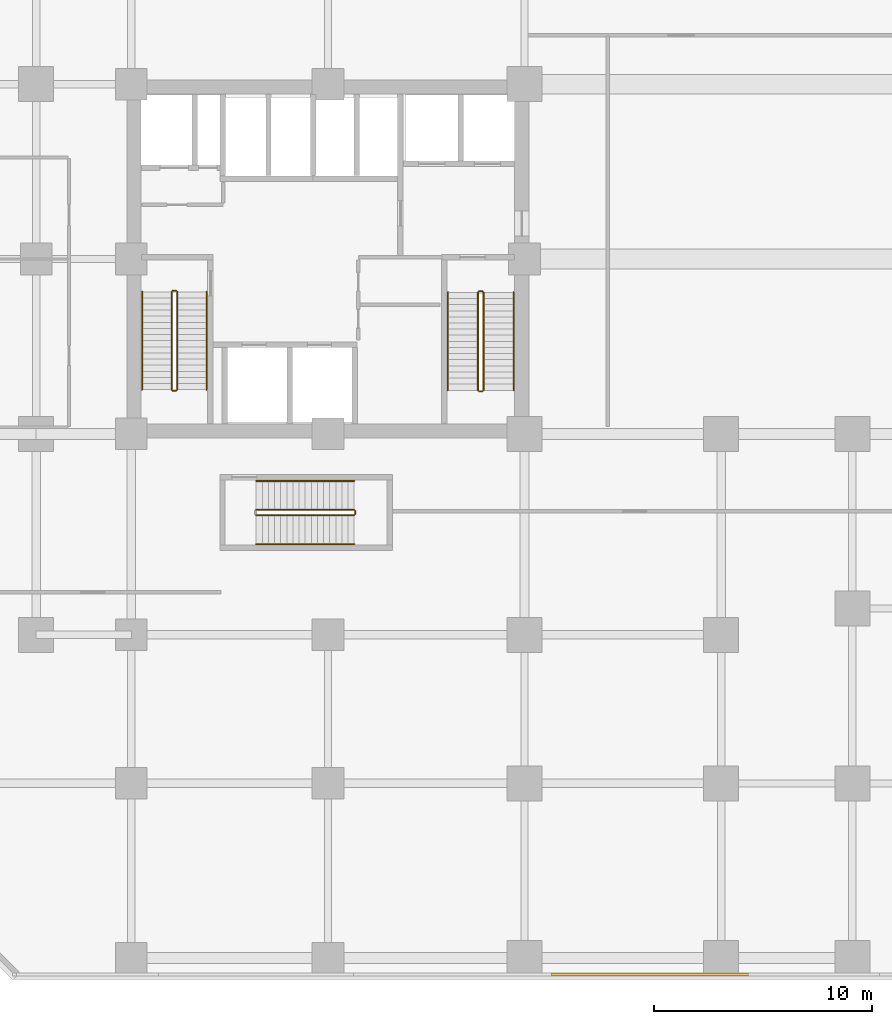
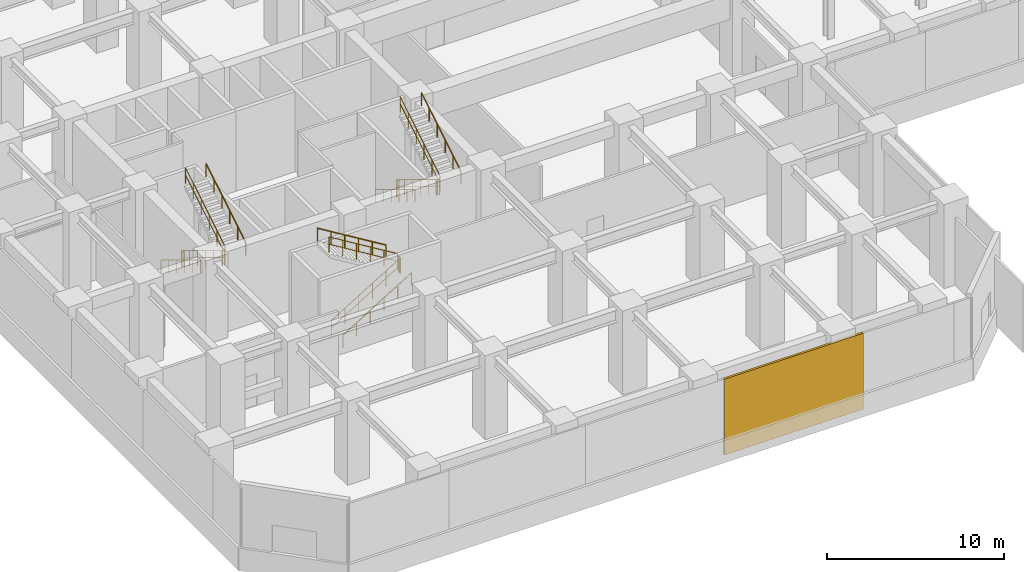
# One storey, part 9 of 12: 17 railings, 1 covering.
"""IFC4 building model written with IfcOpenShell, lengths in metres."""

from ifc_helpers import new_model, si_unit, direction, frame, origin, origin_2d, place, context, subcontext, project, spatial, rectangle, circle, extrude, source, transform, mapped, material, layer, layer_set, type_object, element, save


model = new_model("IFC4")

# Units and contexts
model_context = context("Model", 3, precision=1e-05, world=origin(), true_north=direction((0.0, 1.0)))
body_context = subcontext(model_context, "Body", "Model", "MODEL_VIEW")
ifc_project = project(units=[si_unit("LENGTHUNIT", "METRE"), si_unit("AREAUNIT", "SQUARE_METRE"), si_unit("VOLUMEUNIT", "CUBIC_METRE"), si_unit("PLANEANGLEUNIT", "RADIAN"), si_unit("MASSUNIT", "GRAM", prefix="KILO")], contexts=[model_context])

# Site, building, storey
site_placement = place(None, origin())
site = spatial("IfcSite", under=ifc_project, at=site_placement, CompositionType="ELEMENT")
building_placement = place(site_placement, origin())
building = spatial("IfcBuilding", under=site, at=building_placement, Name="Torre Montelarca", CompositionType="ELEMENT")
storey_placement = place(building_placement, frame((0.0, 0.0, 22.199951171875)))
storey = spatial("IfcBuildingStorey", under=building, at=storey_placement, Name="L05", CompositionType="ELEMENT", Elevation=22.199951171875)

# Railings
ifc_material_1 = material(Name="Powder-coated steel ASTM A500 Grade C", Category="steel")
railing_type_1 = type_object("IfcRailingType", Name="RL-GUARD-1100", PredefinedType="BALUSTRADE", material=ifc_material_1)
railing_1_placement = place(storey_placement, frame((10.85009765625, 30.5, 0.170654296875)))
element("IfcRailing", 1, at=railing_1_placement, inside=storey, type_object=railing_type_1, Name="L05 ST1 stair guard 1", PredefinedType="BALUSTRADE", context=body_context, shape_type="SweptSolid", body=[
    extrude(circle(Radius=0.02392578125, at=origin_2d()), frame((0.0, 0.0, 1.076171875), z_axis=(0.0, -0.853982799912, 0.520301237222), x_axis=(1.0, 0.0, 0.0)), (0.0, 0.0, 1.0), 5.24609375),
    extrude(circle(Radius=0.02099609375, at=origin_2d()), frame((0.0, 0.0, 0.572021484375), z_axis=(0.0, -0.853982799912, 0.520301237222), x_axis=(1.0, 0.0, 0.0)), (0.0, 0.0, 1.0), 5.24609375),
    extrude(circle(Radius=0.02099609375, at=origin_2d()), origin(), (0.0, 0.0, 1.0), 1.052001953125),
    extrude(circle(Radius=0.02099609375, at=origin_2d()), frame((0.0, -0.89599609375, 0.5458984375)), (0.0, 0.0, 1.0), 1.052001953125),
    extrude(circle(Radius=0.02099609375, at=origin_2d()), frame((0.0, -1.7919921875, 1.091796875)), (0.0, 0.0, 1.0), 1.052001953125),
    extrude(circle(Radius=0.02099609375, at=origin_2d()), frame((0.0, -2.68798828125, 1.6376953125)), (0.0, 0.0, 1.0), 1.052001953125),
    extrude(circle(Radius=0.02099609375, at=origin_2d()), frame((0.0, -3.583984375, 2.18359375)), (0.0, 0.0, 1.0), 1.052001953125),
    extrude(circle(Radius=0.02099609375, at=origin_2d()), frame((0.0, -4.47998046875, 2.7294921875)), (0.0, 0.0, 1.0), 1.052001953125),
])
railing_2_placement = place(storey_placement, frame((10.89990234375, 25.969970703125, 2.900146484375)))
element("IfcRailing", 2, at=railing_2_placement, inside=storey, type_object=railing_type_1, Name="L05 ST1 stair guard 2", PredefinedType="BALUSTRADE", context=body_context, shape_type="SweptSolid", body=[
    extrude(circle(Radius=0.02392578125, at=origin_2d()), frame((0.0, 0.0, 1.076171875), z_axis=(1.0, 0.0, 0.0), x_axis=(0.0, 1.0, 0.0)), (0.0, 0.0, 1.0), 0.150146484375),
    extrude(circle(Radius=0.02099609375, at=origin_2d()), frame((0.0, 0.0, 0.572021484375), z_axis=(1.0, 0.0, 0.0), x_axis=(0.0, 1.0, 0.0)), (0.0, 0.0, 1.0), 0.150146484375),
    extrude(circle(Radius=0.02099609375, at=origin_2d()), origin(), (0.0, 0.0, 1.0), 1.052001953125),
    extrude(circle(Radius=0.02099609375, at=origin_2d()), frame((0.150146484375, 0.0, 0.0)), (0.0, 0.0, 1.0), 1.052001953125),
])
railing_3_placement = place(storey_placement, frame((11.10009765625, 26.02001953125, 3.070556640625)))
element("IfcRailing", 3, at=railing_3_placement, inside=storey, type_object=railing_type_1, Name="L05 ST1 stair guard 3", PredefinedType="BALUSTRADE", context=body_context, shape_type="SweptSolid", body=[
    extrude(circle(Radius=0.02392578125, at=origin_2d()), frame((0.0, 0.0, 1.076171875), z_axis=(0.0, 0.853982799912, 0.520301237222), x_axis=(-1.0, 0.0, 0.0)), (0.0, 0.0, 1.0), 5.24609375),
    extrude(circle(Radius=0.02099609375, at=origin_2d()), frame((0.0, 0.0, 0.572021484375), z_axis=(0.0, 0.853982799912, 0.520301237222), x_axis=(-1.0, 0.0, 0.0)), (0.0, 0.0, 1.0), 5.24609375),
    extrude(circle(Radius=0.02099609375, at=origin_2d()), origin(), (0.0, 0.0, 1.0), 1.052001953125),
    extrude(circle(Radius=0.02099609375, at=origin_2d()), frame((0.0, 0.89599609375, 0.5458984375)), (0.0, 0.0, 1.0), 1.052001953125),
    extrude(circle(Radius=0.02099609375, at=origin_2d()), frame((0.0, 1.7919921875, 1.091796875)), (0.0, 0.0, 1.0), 1.052001953125),
    extrude(circle(Radius=0.02099609375, at=origin_2d()), frame((0.0, 2.68798828125, 1.6376953125)), (0.0, 0.0, 1.0), 1.052001953125),
    extrude(circle(Radius=0.02099609375, at=origin_2d()), frame((0.0, 3.583984375, 2.18359375)), (0.0, 0.0, 1.0), 1.052001953125),
    extrude(circle(Radius=0.02099609375, at=origin_2d()), frame((0.0, 4.47998046875, 2.7294921875)), (0.0, 0.0, 1.0), 1.052001953125),
])
railing_4_placement = place(storey_placement, frame((10.89990234375, 30.550048828125, 0.0)))
element("IfcRailing", 4, at=railing_4_placement, inside=storey, type_object=railing_type_1, Name="L05 ST1 stair guard 4", PredefinedType="BALUSTRADE", context=body_context, shape_type="SweptSolid", body=[
    extrude(circle(Radius=0.02392578125, at=origin_2d()), frame((0.0, 0.0, 1.076171875), z_axis=(1.0, 0.0, 0.0), x_axis=(0.0, 1.0, 0.0)), (0.0, 0.0, 1.0), 0.150146484375),
    extrude(circle(Radius=0.02099609375, at=origin_2d()), frame((0.0, 0.0, 0.572021484375), z_axis=(1.0, 0.0, 0.0), x_axis=(0.0, 1.0, 0.0)), (0.0, 0.0, 1.0), 0.150146484375),
    extrude(circle(Radius=0.02099609375, at=origin_2d()), origin(), (0.0, 0.0, 1.0), 1.052001953125),
    extrude(circle(Radius=0.02099609375, at=origin_2d()), frame((0.150146484375, 0.0, 0.0)), (0.0, 0.0, 1.0), 1.052001953125),
])
railing_5_placement = place(storey_placement, frame((24.8701171875, 30.469970703125, 0.170654296875)))
element("IfcRailing", 5, at=railing_5_placement, inside=storey, type_object=railing_type_1, Name="L05 ST2 stair guard 1", PredefinedType="BALUSTRADE", context=body_context, shape_type="SweptSolid", body=[
    extrude(circle(Radius=0.02392578125, at=origin_2d()), frame((0.0, 0.0, 1.076171875), z_axis=(0.0, -0.853982799912, 0.520301237222), x_axis=(1.0, 0.0, 0.0)), (0.0, 0.0, 1.0), 5.24609375),
    extrude(circle(Radius=0.02099609375, at=origin_2d()), frame((0.0, 0.0, 0.572021484375), z_axis=(0.0, -0.853982799912, 0.520301237222), x_axis=(1.0, 0.0, 0.0)), (0.0, 0.0, 1.0), 5.24609375),
    extrude(circle(Radius=0.02099609375, at=origin_2d()), origin(), (0.0, 0.0, 1.0), 1.052001953125),
    extrude(circle(Radius=0.02099609375, at=origin_2d()), frame((0.0, -0.89599609375, 0.5458984375)), (0.0, 0.0, 1.0), 1.052001953125),
    extrude(circle(Radius=0.02099609375, at=origin_2d()), frame((0.0, -1.7919921875, 1.091796875)), (0.0, 0.0, 1.0), 1.052001953125),
    extrude(circle(Radius=0.02099609375, at=origin_2d()), frame((0.0, -2.68798828125, 1.6376953125)), (0.0, 0.0, 1.0), 1.052001953125),
    extrude(circle(Radius=0.02099609375, at=origin_2d()), frame((0.0, -3.583984375, 2.18359375)), (0.0, 0.0, 1.0), 1.052001953125),
    extrude(circle(Radius=0.02099609375, at=origin_2d()), frame((0.0, -4.47998046875, 2.7294921875)), (0.0, 0.0, 1.0), 1.052001953125),
])
railing_6_placement = place(storey_placement, frame((24.919921875, 25.93994140625, 2.900146484375)))
element("IfcRailing", 6, at=railing_6_placement, inside=storey, type_object=railing_type_1, Name="L05 ST2 stair guard 2", PredefinedType="BALUSTRADE", context=body_context, shape_type="SweptSolid", body=[
    extrude(circle(Radius=0.02392578125, at=origin_2d()), frame((0.0, 0.0, 1.076171875), z_axis=(1.0, 0.0, 0.0), x_axis=(0.0, 1.0, 0.0)), (0.0, 0.0, 1.0), 0.150146484375),
    extrude(circle(Radius=0.02099609375, at=origin_2d()), frame((0.0, 0.0, 0.572021484375), z_axis=(1.0, 0.0, 0.0), x_axis=(0.0, 1.0, 0.0)), (0.0, 0.0, 1.0), 0.150146484375),
    extrude(circle(Radius=0.02099609375, at=origin_2d()), origin(), (0.0, 0.0, 1.0), 1.052001953125),
    extrude(circle(Radius=0.02099609375, at=origin_2d()), frame((0.150146484375, 0.0, 0.0)), (0.0, 0.0, 1.0), 1.052001953125),
])
railing_7_placement = place(storey_placement, frame((25.1201171875, 25.989990234375, 3.070556640625)))
element("IfcRailing", 7, at=railing_7_placement, inside=storey, type_object=railing_type_1, Name="L05 ST2 stair guard 3", PredefinedType="BALUSTRADE", context=body_context, shape_type="SweptSolid", body=[
    extrude(circle(Radius=0.02392578125, at=origin_2d()), frame((0.0, 0.0, 1.076171875), z_axis=(0.0, 0.853982799912, 0.520301237222), x_axis=(-1.0, 0.0, 0.0)), (0.0, 0.0, 1.0), 5.24609375),
    extrude(circle(Radius=0.02099609375, at=origin_2d()), frame((0.0, 0.0, 0.572021484375), z_axis=(0.0, 0.853982799912, 0.520301237222), x_axis=(-1.0, 0.0, 0.0)), (0.0, 0.0, 1.0), 5.24609375),
    extrude(circle(Radius=0.02099609375, at=origin_2d()), origin(), (0.0, 0.0, 1.0), 1.052001953125),
    extrude(circle(Radius=0.02099609375, at=origin_2d()), frame((0.0, 0.89599609375, 0.5458984375)), (0.0, 0.0, 1.0), 1.052001953125),
    extrude(circle(Radius=0.02099609375, at=origin_2d()), frame((0.0, 1.7919921875, 1.091796875)), (0.0, 0.0, 1.0), 1.052001953125),
    extrude(circle(Radius=0.02099609375, at=origin_2d()), frame((0.0, 2.68798828125, 1.6376953125)), (0.0, 0.0, 1.0), 1.052001953125),
    extrude(circle(Radius=0.02099609375, at=origin_2d()), frame((0.0, 3.583984375, 2.18359375)), (0.0, 0.0, 1.0), 1.052001953125),
    extrude(circle(Radius=0.02099609375, at=origin_2d()), frame((0.0, 4.47998046875, 2.7294921875)), (0.0, 0.0, 1.0), 1.052001953125),
])
railing_8_placement = place(storey_placement, frame((24.919921875, 30.52001953125, 0.0)))
element("IfcRailing", 8, at=railing_8_placement, inside=storey, type_object=railing_type_1, Name="L05 ST2 stair guard 4", PredefinedType="BALUSTRADE", context=body_context, shape_type="SweptSolid", body=[
    extrude(circle(Radius=0.02392578125, at=origin_2d()), frame((0.0, 0.0, 1.076171875), z_axis=(1.0, 0.0, 0.0), x_axis=(0.0, 1.0, 0.0)), (0.0, 0.0, 1.0), 0.150146484375),
    extrude(circle(Radius=0.02099609375, at=origin_2d()), frame((0.0, 0.0, 0.572021484375), z_axis=(1.0, 0.0, 0.0), x_axis=(0.0, 1.0, 0.0)), (0.0, 0.0, 1.0), 0.150146484375),
    extrude(circle(Radius=0.02099609375, at=origin_2d()), origin(), (0.0, 0.0, 1.0), 1.052001953125),
    extrude(circle(Radius=0.02099609375, at=origin_2d()), frame((0.150146484375, 0.0, 0.0)), (0.0, 0.0, 1.0), 1.052001953125),
])
railing_9_placement = place(storey_placement, frame((14.719970703125, 20.27001953125, 0.170654296875)))
element("IfcRailing", 9, at=railing_9_placement, inside=storey, type_object=railing_type_1, Name="L05 ST3 stair guard 1", PredefinedType="BALUSTRADE", context=body_context, shape_type="SweptSolid", body=[
    extrude(circle(Radius=0.02392578125, at=origin_2d()), frame((0.0, 0.0, 1.076171875), z_axis=(0.853982799912, 0.0, 0.520301237222), x_axis=(0.0, 1.0, 0.0)), (0.0, 0.0, 1.0), 5.24609375),
    extrude(circle(Radius=0.02099609375, at=origin_2d()), frame((0.0, 0.0, 0.572021484375), z_axis=(0.853982799912, 0.0, 0.520301237222), x_axis=(0.0, 1.0, 0.0)), (0.0, 0.0, 1.0), 5.24609375),
    extrude(circle(Radius=0.02099609375, at=origin_2d()), origin(), (0.0, 0.0, 1.0), 1.052001953125),
    extrude(circle(Radius=0.02099609375, at=origin_2d()), frame((0.89599609375, 0.0, 0.5458984375)), (0.0, 0.0, 1.0), 1.052001953125),
    extrude(circle(Radius=0.02099609375, at=origin_2d()), frame((1.7919921875, 0.0, 1.091796875)), (0.0, 0.0, 1.0), 1.052001953125),
    extrude(circle(Radius=0.02099609375, at=origin_2d()), frame((2.68798828125, 0.0, 1.6376953125)), (0.0, 0.0, 1.0), 1.052001953125),
    extrude(circle(Radius=0.02099609375, at=origin_2d()), frame((3.583984375, 0.0, 2.18359375)), (0.0, 0.0, 1.0), 1.052001953125),
    extrude(circle(Radius=0.02099609375, at=origin_2d()), frame((4.47998046875, 0.0, 2.7294921875)), (0.0, 0.0, 1.0), 1.052001953125),
])
railing_10_placement = place(storey_placement, frame((19.25, 20.320068359375, 2.900146484375)))
element("IfcRailing", 10, at=railing_10_placement, inside=storey, type_object=railing_type_1, Name="L05 ST3 stair guard 2", PredefinedType="BALUSTRADE", context=body_context, shape_type="SweptSolid", body=[
    extrude(circle(Radius=0.02392578125, at=origin_2d()), frame((0.0, 0.0, 1.076171875), z_axis=(0.0, 1.0, 0.0), x_axis=(-1.0, 0.0, 0.0)), (0.0, 0.0, 1.0), 0.14990234375),
    extrude(circle(Radius=0.02099609375, at=origin_2d()), frame((0.0, 0.0, 0.572021484375), z_axis=(0.0, 1.0, 0.0), x_axis=(-1.0, 0.0, 0.0)), (0.0, 0.0, 1.0), 0.14990234375),
    extrude(circle(Radius=0.02099609375, at=origin_2d()), origin(), (0.0, 0.0, 1.0), 1.052001953125),
    extrude(circle(Radius=0.02099609375, at=origin_2d()), frame((0.0, 0.14990234375, 0.0)), (0.0, 0.0, 1.0), 1.052001953125),
])
railing_11_placement = place(storey_placement, frame((19.199951171875, 20.52001953125, 3.070556640625)))
element("IfcRailing", 11, at=railing_11_placement, inside=storey, type_object=railing_type_1, Name="L05 ST3 stair guard 3", PredefinedType="BALUSTRADE", context=body_context, shape_type="SweptSolid", body=[
    extrude(circle(Radius=0.02392578125, at=origin_2d()), frame((0.0, 0.0, 1.076171875), z_axis=(-0.853982799912, 0.0, 0.520301237222), x_axis=(0.0, -1.0, 0.0)), (0.0, 0.0, 1.0), 5.24609375),
    extrude(circle(Radius=0.02099609375, at=origin_2d()), frame((0.0, 0.0, 0.572021484375), z_axis=(-0.853982799912, 0.0, 0.520301237222), x_axis=(0.0, -1.0, 0.0)), (0.0, 0.0, 1.0), 5.24609375),
    extrude(circle(Radius=0.02099609375, at=origin_2d()), origin(), (0.0, 0.0, 1.0), 1.052001953125),
    extrude(circle(Radius=0.02099609375, at=origin_2d()), frame((-0.89599609375, 0.0, 0.5458984375)), (0.0, 0.0, 1.0), 1.052001953125),
    extrude(circle(Radius=0.02099609375, at=origin_2d()), frame((-1.7919921875, 0.0, 1.091796875)), (0.0, 0.0, 1.0), 1.052001953125),
    extrude(circle(Radius=0.02099609375, at=origin_2d()), frame((-2.68798828125, 0.0, 1.6376953125)), (0.0, 0.0, 1.0), 1.052001953125),
    extrude(circle(Radius=0.02099609375, at=origin_2d()), frame((-3.583984375, 0.0, 2.18359375)), (0.0, 0.0, 1.0), 1.052001953125),
    extrude(circle(Radius=0.02099609375, at=origin_2d()), frame((-4.47998046875, 0.0, 2.7294921875)), (0.0, 0.0, 1.0), 1.052001953125),
])
ifc_material_2 = material(Name="Brushed stainless steel AISI 316", Category="steel")
railing_type_2 = type_object("IfcRailingType", Name="RL-HANDRAIL-900", PredefinedType="HANDRAIL", material=ifc_material_2)
railing_12_placement = place(storey_placement, frame((9.5, 30.5, 0.170654296875)))
element("IfcRailing", 12, at=railing_12_placement, inside=storey, type_object=railing_type_2, Name="L05 ST1 stair handrail 1", PredefinedType="HANDRAIL", context=body_context, shape_type="SweptSolid", body=[
    extrude(circle(Radius=0.02392578125, at=origin_2d()), frame((0.0, 0.0, 0.8759765625), z_axis=(0.0, -0.853982799912, 0.520301237222), x_axis=(1.0, 0.0, 0.0)), (0.0, 0.0, 1.0), 5.24609375),
    extrude(circle(Radius=0.02099609375, at=origin_2d()), origin(), (0.0, 0.0, 1.0), 0.851806640625),
    extrude(circle(Radius=0.02099609375, at=origin_2d()), frame((0.0, -0.89599609375, 0.5458984375)), (0.0, 0.0, 1.0), 0.851806640625),
    extrude(circle(Radius=0.02099609375, at=origin_2d()), frame((0.0, -1.7919921875, 1.091796875)), (0.0, 0.0, 1.0), 0.851806640625),
    extrude(circle(Radius=0.02099609375, at=origin_2d()), frame((0.0, -2.68798828125, 1.6376953125)), (0.0, 0.0, 1.0), 0.851806640625),
    extrude(circle(Radius=0.02099609375, at=origin_2d()), frame((0.0, -3.583984375, 2.18359375)), (0.0, 0.0, 1.0), 0.851806640625),
    extrude(circle(Radius=0.02099609375, at=origin_2d()), frame((0.0, -4.47998046875, 2.7294921875)), (0.0, 0.0, 1.0), 0.851806640625),
])
railing_13_placement = place(storey_placement, frame((12.449951171875, 26.02001953125, 3.070556640625)))
element("IfcRailing", 13, at=railing_13_placement, inside=storey, type_object=railing_type_2, Name="L05 ST1 stair handrail 2", PredefinedType="HANDRAIL", context=body_context, shape_type="SweptSolid", body=[
    extrude(circle(Radius=0.02392578125, at=origin_2d()), frame((0.0, 0.0, 0.8759765625), z_axis=(0.0, 0.853982799912, 0.520301237222), x_axis=(-1.0, 0.0, 0.0)), (0.0, 0.0, 1.0), 5.24609375),
    extrude(circle(Radius=0.02099609375, at=origin_2d()), origin(), (0.0, 0.0, 1.0), 0.851806640625),
    extrude(circle(Radius=0.02099609375, at=origin_2d()), frame((0.0, 0.89599609375, 0.5458984375)), (0.0, 0.0, 1.0), 0.851806640625),
    extrude(circle(Radius=0.02099609375, at=origin_2d()), frame((0.0, 1.7919921875, 1.091796875)), (0.0, 0.0, 1.0), 0.851806640625),
    extrude(circle(Radius=0.02099609375, at=origin_2d()), frame((0.0, 2.68798828125, 1.6376953125)), (0.0, 0.0, 1.0), 0.851806640625),
    extrude(circle(Radius=0.02099609375, at=origin_2d()), frame((0.0, 3.583984375, 2.18359375)), (0.0, 0.0, 1.0), 0.851806640625),
    extrude(circle(Radius=0.02099609375, at=origin_2d()), frame((0.0, 4.47998046875, 2.7294921875)), (0.0, 0.0, 1.0), 0.851806640625),
])
railing_14_placement = place(storey_placement, frame((23.489990234375, 30.469970703125, 0.170654296875)))
element("IfcRailing", 14, at=railing_14_placement, inside=storey, type_object=railing_type_2, Name="L05 ST2 stair handrail 1", PredefinedType="HANDRAIL", context=body_context, shape_type="SweptSolid", body=[
    extrude(circle(Radius=0.02392578125, at=origin_2d()), frame((0.0, 0.0, 0.8759765625), z_axis=(0.0, -0.853982799912, 0.520301237222), x_axis=(1.0, 0.0, 0.0)), (0.0, 0.0, 1.0), 5.24609375),
    extrude(circle(Radius=0.02099609375, at=origin_2d()), origin(), (0.0, 0.0, 1.0), 0.851806640625),
    extrude(circle(Radius=0.02099609375, at=origin_2d()), frame((0.0, -0.89599609375, 0.5458984375)), (0.0, 0.0, 1.0), 0.851806640625),
    extrude(circle(Radius=0.02099609375, at=origin_2d()), frame((0.0, -1.7919921875, 1.091796875)), (0.0, 0.0, 1.0), 0.851806640625),
    extrude(circle(Radius=0.02099609375, at=origin_2d()), frame((0.0, -2.68798828125, 1.6376953125)), (0.0, 0.0, 1.0), 0.851806640625),
    extrude(circle(Radius=0.02099609375, at=origin_2d()), frame((0.0, -3.583984375, 2.18359375)), (0.0, 0.0, 1.0), 0.851806640625),
    extrude(circle(Radius=0.02099609375, at=origin_2d()), frame((0.0, -4.47998046875, 2.7294921875)), (0.0, 0.0, 1.0), 0.851806640625),
])
railing_15_placement = place(storey_placement, frame((26.5, 25.989990234375, 3.070556640625)))
element("IfcRailing", 15, at=railing_15_placement, inside=storey, type_object=railing_type_2, Name="L05 ST2 stair handrail 2", PredefinedType="HANDRAIL", context=body_context, shape_type="SweptSolid", body=[
    extrude(circle(Radius=0.02392578125, at=origin_2d()), frame((0.0, 0.0, 0.8759765625), z_axis=(0.0, 0.853982799912, 0.520301237222), x_axis=(-1.0, 0.0, 0.0)), (0.0, 0.0, 1.0), 5.24609375),
    extrude(circle(Radius=0.02099609375, at=origin_2d()), origin(), (0.0, 0.0, 1.0), 0.851806640625),
    extrude(circle(Radius=0.02099609375, at=origin_2d()), frame((0.0, 0.89599609375, 0.5458984375)), (0.0, 0.0, 1.0), 0.851806640625),
    extrude(circle(Radius=0.02099609375, at=origin_2d()), frame((0.0, 1.7919921875, 1.091796875)), (0.0, 0.0, 1.0), 0.851806640625),
    extrude(circle(Radius=0.02099609375, at=origin_2d()), frame((0.0, 2.68798828125, 1.6376953125)), (0.0, 0.0, 1.0), 0.851806640625),
    extrude(circle(Radius=0.02099609375, at=origin_2d()), frame((0.0, 3.583984375, 2.18359375)), (0.0, 0.0, 1.0), 0.851806640625),
    extrude(circle(Radius=0.02099609375, at=origin_2d()), frame((0.0, 4.47998046875, 2.7294921875)), (0.0, 0.0, 1.0), 0.851806640625),
])
railing_16_placement = place(storey_placement, frame((14.719970703125, 18.949951171875, 0.170654296875)))
element("IfcRailing", 16, at=railing_16_placement, inside=storey, type_object=railing_type_2, Name="L05 ST3 stair handrail 1", PredefinedType="HANDRAIL", context=body_context, shape_type="SweptSolid", body=[
    extrude(circle(Radius=0.02392578125, at=origin_2d()), frame((0.0, 0.0, 0.8759765625), z_axis=(0.853982799912, 0.0, 0.520301237222), x_axis=(0.0, 1.0, 0.0)), (0.0, 0.0, 1.0), 5.24609375),
    extrude(circle(Radius=0.02099609375, at=origin_2d()), origin(), (0.0, 0.0, 1.0), 0.851806640625),
    extrude(circle(Radius=0.02099609375, at=origin_2d()), frame((0.89599609375, 0.0, 0.5458984375)), (0.0, 0.0, 1.0), 0.851806640625),
    extrude(circle(Radius=0.02099609375, at=origin_2d()), frame((1.7919921875, 0.0, 1.091796875)), (0.0, 0.0, 1.0), 0.851806640625),
    extrude(circle(Radius=0.02099609375, at=origin_2d()), frame((2.68798828125, 0.0, 1.6376953125)), (0.0, 0.0, 1.0), 0.851806640625),
    extrude(circle(Radius=0.02099609375, at=origin_2d()), frame((3.583984375, 0.0, 2.18359375)), (0.0, 0.0, 1.0), 0.851806640625),
    extrude(circle(Radius=0.02099609375, at=origin_2d()), frame((4.47998046875, 0.0, 2.7294921875)), (0.0, 0.0, 1.0), 0.851806640625),
])
railing_17_placement = place(storey_placement, frame((19.199951171875, 21.840087890625, 3.070556640625)))
element("IfcRailing", 17, at=railing_17_placement, inside=storey, type_object=railing_type_2, Name="L05 ST3 stair handrail 2", PredefinedType="HANDRAIL", context=body_context, shape_type="SweptSolid", body=[
    extrude(circle(Radius=0.02392578125, at=origin_2d()), frame((0.0, 0.0, 0.8759765625), z_axis=(-0.853982799912, 0.0, 0.520301237222), x_axis=(0.0, -1.0, 0.0)), (0.0, 0.0, 1.0), 5.24609375),
    extrude(circle(Radius=0.02099609375, at=origin_2d()), origin(), (0.0, 0.0, 1.0), 0.851806640625),
    extrude(circle(Radius=0.02099609375, at=origin_2d()), frame((-0.89599609375, 0.0, 0.5458984375)), (0.0, 0.0, 1.0), 0.851806640625),
    extrude(circle(Radius=0.02099609375, at=origin_2d()), frame((-1.7919921875, 0.0, 1.091796875)), (0.0, 0.0, 1.0), 0.851806640625),
    extrude(circle(Radius=0.02099609375, at=origin_2d()), frame((-2.68798828125, 0.0, 1.6376953125)), (0.0, 0.0, 1.0), 0.851806640625),
    extrude(circle(Radius=0.02099609375, at=origin_2d()), frame((-3.583984375, 0.0, 2.18359375)), (0.0, 0.0, 1.0), 0.851806640625),
    extrude(circle(Radius=0.02099609375, at=origin_2d()), frame((-4.47998046875, 0.0, 2.7294921875)), (0.0, 0.0, 1.0), 0.851806640625),
])

# Covering
ifc_material_3 = material(Name="Bush-hammered warm white precast concrete C45/55", Category="concrete")
ifc_layer = layer(ifc_material_3, 0.139892578125, Name="Bush-hammered warm white precast concrete C45/55", Category="concrete")
ifc_layer_set = layer_set([ifc_layer], Name="Bush-hammered warm white precast concrete C45/55")
covering_type = type_object("IfcCoveringType", Name="COV-TRAY-CLAD", PredefinedType="CLADDING", material=ifc_layer_set)
shared_shape = source(origin(), body_context, "Body", "SweptSolid", [
    extrude(rectangle(XDim=9.080078125, YDim=0.139892578125, at=origin_2d()), origin(), (0.0, 0.0, 1.0), 5.25),
])
covering_placement = place(storey_placement, frame((32.780029296875, -0.739990234375, 0.0), z_axis=(0.0, 0.0, 1.0), x_axis=(1.0, 0.0, 0.0)))
element("IfcCovering", 18, at=covering_placement, inside=storey, type_object=covering_type, Name="L05 Architectural Column Pier Cladding E01-5", PredefinedType="CLADDING", context=body_context, shape_type="MappedRepresentation", body=[
    mapped(shared_shape, transform((0.0, 0.0, 0.0), scale=1.0)),
])

save(model, "model.ifc")
